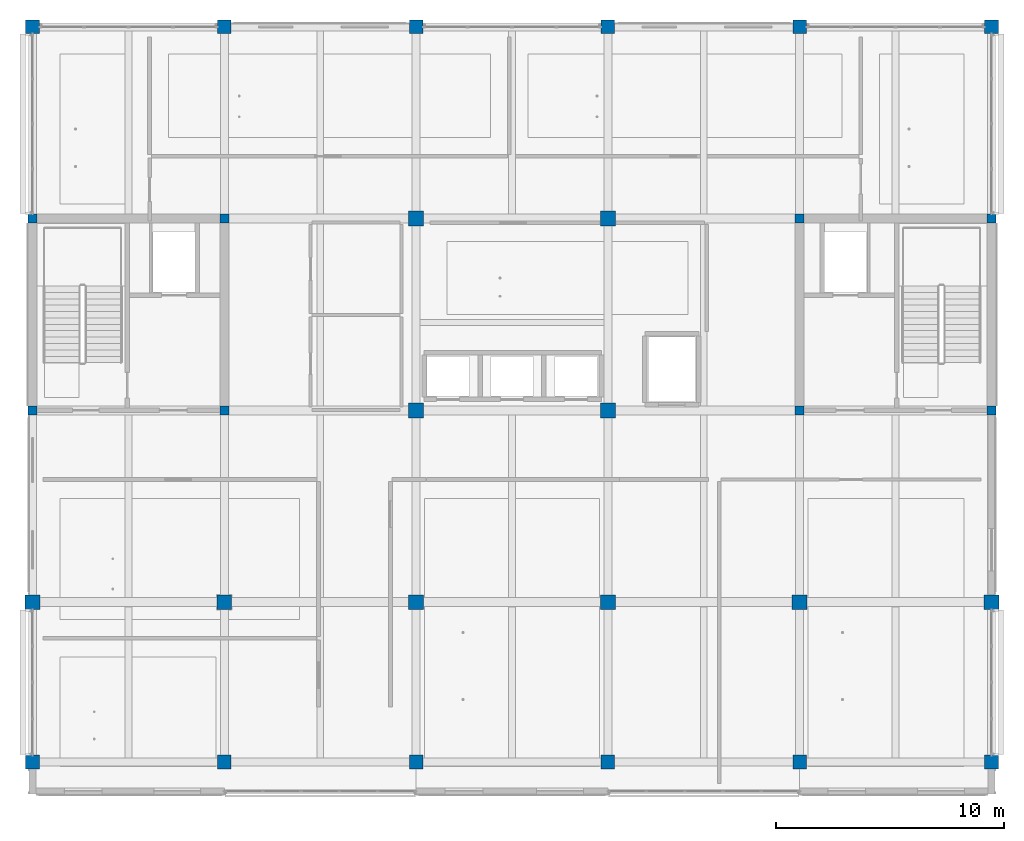
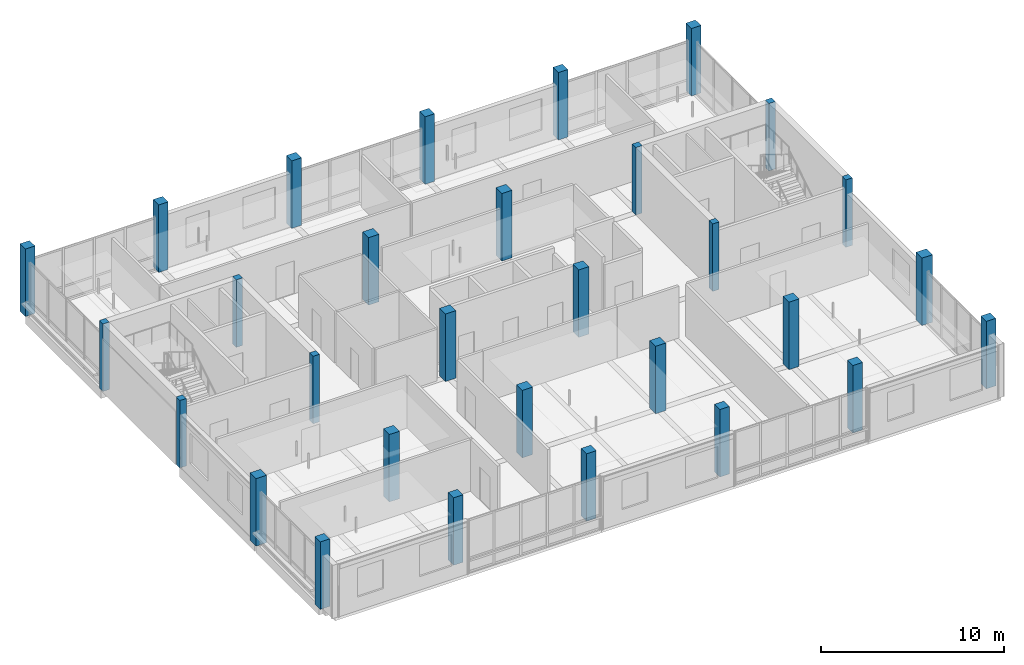
# One storey, part 1 of 30: 30 columns.
"""IFC4 building model written with IfcOpenShell, lengths in metres."""

from ifc_helpers import new_model, si_unit, direction, frame, origin, origin_2d, place, context, subcontext, project, spatial, rectangle, extrude, material, material_profile, profile_set, type_object, element, save


model = new_model("IFC4")

# Units and contexts
model_context = context("Model", 3, precision=1e-05, world=origin(), true_north=direction((0.0, 1.0)))
body_context = subcontext(model_context, "Body", "Model", "MODEL_VIEW")
ifc_project = project(units=[si_unit("LENGTHUNIT", "METRE"), si_unit("AREAUNIT", "SQUARE_METRE"), si_unit("VOLUMEUNIT", "CUBIC_METRE"), si_unit("PLANEANGLEUNIT", "RADIAN"), si_unit("MASSUNIT", "GRAM", prefix="KILO")], contexts=[model_context])

# Site, building, storey
site_placement = place(None, origin())
site = spatial("IfcSite", under=ifc_project, at=site_placement, CompositionType="ELEMENT")
building_placement = place(site_placement, origin())
building = spatial("IfcBuilding", under=site, at=building_placement, Name="Telukmera Botanical Conservatory", CompositionType="ELEMENT")
storey_placement = place(building_placement, frame((0.0, 0.0, 60.0)))
storey = spatial("IfcBuildingStorey", under=building, at=storey_placement, Name="L13", CompositionType="ELEMENT", Elevation=60.0)

# Columns
ifc_material_1 = material(Name="Concrete C40/50", Category="concrete")
ifc_material_profile_1 = material_profile(ifc_material_1, rectangle(XDim=0.64990234375, YDim=0.64990234375, at=origin_2d()), Name="RC 650x650")
ifc_profile_set_1 = profile_set([ifc_material_profile_1], Name="Concrete C40/50")
column_type_1 = type_object("IfcColumnType", Name="Col_C10", PredefinedType="COLUMN", material=ifc_profile_set_1)
for number, where, z_axis, x_axis, name in (
    (1, (58.800048828125, 17.60009765625, 0.0), (0.0, 0.0, 1.0), (1.0, 0.0, 0.0), "Column V4-L13 (58.8,17.6)"),
    (2, (67.199951171875, 17.60009765625, 0.0), (0.0, 0.0, 1.0), (1.0, 0.0, 0.0), "Column V4-L13 (67.2,17.6)"),
    (3, (75.60009765625, 17.60009765625, 0.0), (0.0, 0.0, 1.0), (1.0, 0.0, 0.0), "Column V4-L13 (75.6,17.6)"),
    (4, (75.60009765625, 26.0, 0.0), (0.0, 0.0, 1.0), (1.0, 0.0, 0.0), "Column V4-L13 (75.6,26.0)"),
    (5, (75.60009765625, 34.39990234375, 0.0), (0.0, 0.0, 1.0), (1.0, 0.0, 0.0), "Column V4-L13 (75.6,34.4)"),
    (6, (84.0, 17.60009765625, 0.0), (0.0, 0.0, 1.0), (1.0, 0.0, 0.0), "Column V4-L13 (84.0,17.6)"),
    (7, (84.0, 26.0, 0.0), (0.0, 0.0, 1.0), (1.0, 0.0, 0.0), "Column V4-L13 (84.0,26.0)"),
    (8, (84.0, 34.39990234375, 0.0), (0.0, 0.0, 1.0), (1.0, 0.0, 0.0), "Column V4-L13 (84.0,34.4)"),
    (9, (92.39990234375, 17.60009765625, 0.0), (0.0, 0.0, 1.0), (1.0, 0.0, 0.0), "Column V4-L13 (92.4,17.6)"),
    (10, (100.800048828125, 17.60009765625, 0.0), (0.0, 0.0, 1.0), (1.0, 0.0, 0.0), "Column V4-L13 (100.8,17.6)"),
):
    element("IfcColumn", number, at=place(storey_placement, frame(where, z_axis=z_axis, x_axis=x_axis)), inside=storey, type_object=column_type_1, Name=name, PredefinedType="COLUMN", context=body_context, shape_type="SweptSolid", body=[
        extrude(rectangle(XDim=0.64990234375, YDim=0.64990234375, at=origin_2d()), origin(), (0.0, 0.0, 1.0), 4.5),
    ])
ifc_material_profile_2 = material_profile(ifc_material_1, rectangle(XDim=0.60009765625, YDim=0.60009765625, at=origin_2d()), Name="RC 600x600")
ifc_profile_set_2 = profile_set([ifc_material_profile_2], Name="Concrete C40/50")
column_type_2 = type_object("IfcColumnType", Name="Col_C11", PredefinedType="COLUMN", material=ifc_profile_set_2)
for number, where, z_axis, x_axis, name in (
    (11, (58.800048828125, 10.60009765625, 0.0), (0.0, 0.0, 1.0), (1.0, 0.0, 0.0), "Column V4-L13 (58.8,10.6)"),
    (12, (58.800048828125, 42.800048828125, 0.0), (0.0, 0.0, 1.0), (1.0, 0.0, 0.0), "Column V4-L13 (58.8,42.8)"),
    (13, (67.199951171875, 10.60009765625, 0.0), (0.0, 0.0, 1.0), (1.0, 0.0, 0.0), "Column V4-L13 (67.2,10.6)"),
    (14, (67.199951171875, 42.800048828125, 0.0), (0.0, 0.0, 1.0), (1.0, 0.0, 0.0), "Column V4-L13 (67.2,42.8)"),
    (15, (75.60009765625, 10.60009765625, 0.0), (0.0, 0.0, 1.0), (1.0, 0.0, 0.0), "Column V4-L13 (75.6,10.6)"),
    (16, (75.60009765625, 42.800048828125, 0.0), (0.0, 0.0, 1.0), (1.0, 0.0, 0.0), "Column V4-L13 (75.6,42.8)"),
    (17, (84.0, 10.60009765625, 0.0), (0.0, 0.0, 1.0), (1.0, 0.0, 0.0), "Column V4-L13 (84.0,10.6)"),
    (18, (84.0, 42.800048828125, 0.0), (0.0, 0.0, 1.0), (1.0, 0.0, 0.0), "Column V4-L13 (84.0,42.8)"),
    (19, (92.39990234375, 10.60009765625, 0.0), (0.0, 0.0, 1.0), (1.0, 0.0, 0.0), "Column V4-L13 (92.4,10.6)"),
    (20, (92.39990234375, 42.800048828125, 0.0), (0.0, 0.0, 1.0), (1.0, 0.0, 0.0), "Column V4-L13 (92.4,42.8)"),
    (21, (100.800048828125, 10.60009765625, 0.0), (0.0, 0.0, 1.0), (1.0, 0.0, 0.0), "Column V4-L13 (100.8,10.6)"),
    (22, (100.800048828125, 42.800048828125, 0.0), (0.0, 0.0, 1.0), (1.0, 0.0, 0.0), "Column V4-L13 (100.8,42.8)"),
):
    element("IfcColumn", number, at=place(storey_placement, frame(where, z_axis=z_axis, x_axis=x_axis)), inside=storey, type_object=column_type_2, Name=name, PredefinedType="COLUMN", context=body_context, shape_type="SweptSolid", body=[
        extrude(rectangle(XDim=0.60009765625, YDim=0.60009765625, at=origin_2d()), origin(), (0.0, 0.0, 1.0), 4.5),
    ])
ifc_material_2 = material(Name="Concrete C50/60", Category="concrete")
ifc_material_profile_3 = material_profile(ifc_material_2, rectangle(XDim=0.39990234375, YDim=0.39990234375, at=origin_2d()), Name="RC 400x400")
ifc_profile_set_3 = profile_set([ifc_material_profile_3], Name="Concrete C50/60")
column_type_3 = type_object("IfcColumnType", Name="Col_C14", PredefinedType="COLUMN", material=ifc_profile_set_3)
for number, where, z_axis, x_axis, name in (
    (23, (58.800048828125, 26.0, 0.0), (0.0, 0.0, 1.0), (1.0, 0.0, 0.0), "Column V4-L13 (58.8,26.0)"),
    (24, (58.800048828125, 34.39990234375, 0.0), (0.0, 0.0, 1.0), (1.0, 0.0, 0.0), "Column V4-L13 (58.8,34.4)"),
    (25, (67.199951171875, 26.0, 0.0), (0.0, 0.0, 1.0), (1.0, 0.0, 0.0), "Column V4-L13 (67.2,26.0)"),
    (26, (67.199951171875, 34.39990234375, 0.0), (0.0, 0.0, 1.0), (1.0, 0.0, 0.0), "Column V4-L13 (67.2,34.4)"),
    (27, (92.39990234375, 26.0, 0.0), (0.0, 0.0, 1.0), (1.0, 0.0, 0.0), "Column V4-L13 (92.4,26.0)"),
    (28, (92.39990234375, 34.39990234375, 0.0), (0.0, 0.0, 1.0), (1.0, 0.0, 0.0), "Column V4-L13 (92.4,34.4)"),
    (29, (100.800048828125, 26.0, 0.0), (0.0, 0.0, 1.0), (1.0, 0.0, 0.0), "Column V4-L13 (100.8,26.0)"),
    (30, (100.800048828125, 34.39990234375, 0.0), (0.0, 0.0, 1.0), (1.0, 0.0, 0.0), "Column V4-L13 (100.8,34.4)"),
):
    element("IfcColumn", number, at=place(storey_placement, frame(where, z_axis=z_axis, x_axis=x_axis)), inside=storey, type_object=column_type_3, Name=name, PredefinedType="COLUMN", context=body_context, shape_type="SweptSolid", body=[
        extrude(rectangle(XDim=0.39990234375, YDim=0.39990234375, at=origin_2d()), origin(), (0.0, 0.0, 1.0), 4.5),
    ])

save(model, "model.ifc")
